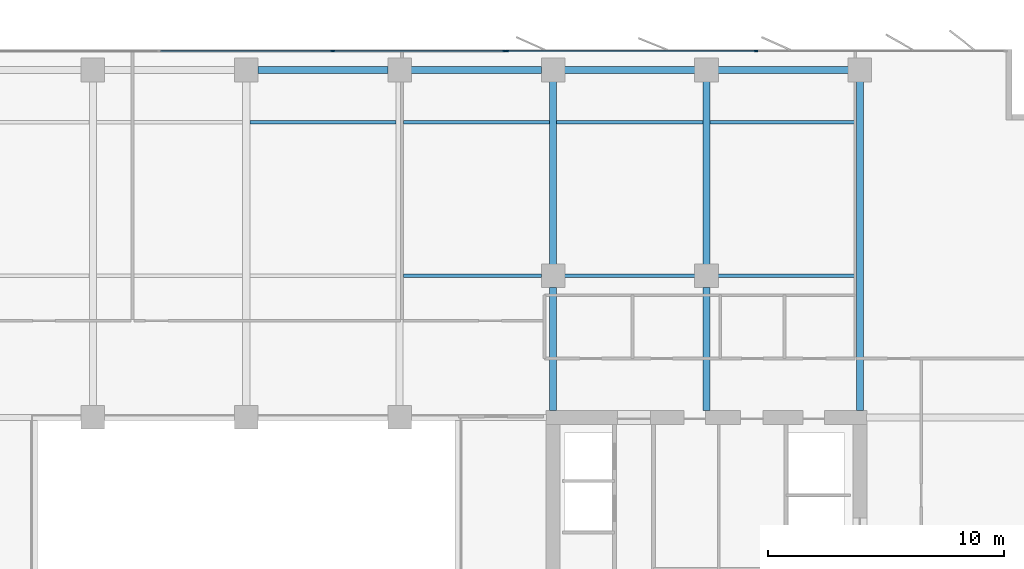
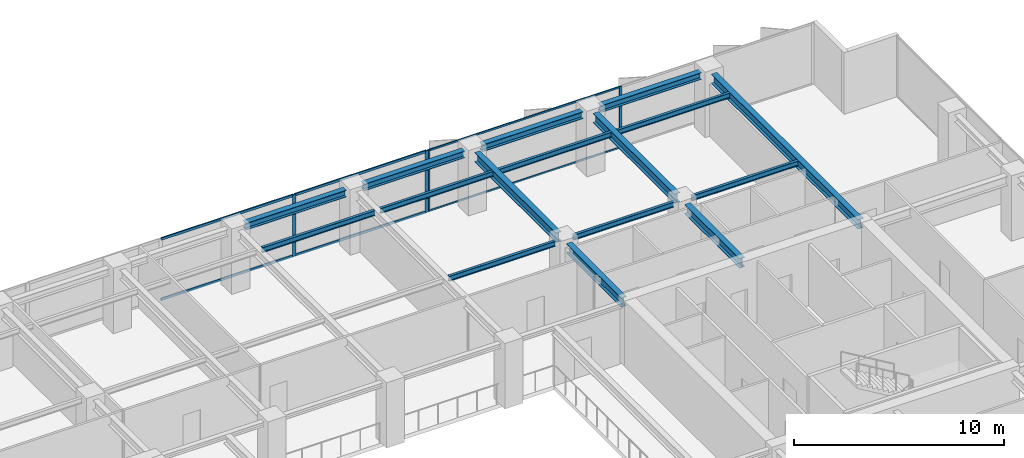
# One storey, part 10 of 22: 16 beams, 10 members, 2 elements without a shape of their own.
"""IFC4 building model written with IfcOpenShell, lengths in metres."""

import ifcopenshell
import ifcopenshell.guid

model = None  # the IFC model being written
_history = None  # IfcOwnerHistory: only IFC2X3 demands one
_inside = {}  # id of a spatial element -> (the spatial element, [elements in it])
_under = {}  # id of a project, library or spatial element -> (it, [spatial elements below it])
_declared = {}  # id of a project -> (the project, [libraries it declares])
_typed = {}  # id of a type object -> (the type object, [elements of that type])
_made_of = {}  # id of a material, layer set ... -> (it, [elements and type objects made of it])


def new_model(schema):
    """Start an empty IFC model of exactly this schema.

    Asked for "IFC4X3", IfcOpenShell would pick the latest addendum, in which some entities
    have other attributes; the version numbers below select the first issue.
    IFC2X3 requires an IfcOwnerHistory on every rooted entity: one is made here for all.
    """
    global model, _history
    if schema == "IFC4X3":
        model = ifcopenshell.file(schema_version=(4, 3, 0, 0))
    else:
        model = ifcopenshell.file(schema=schema)
    _inside.clear()
    _under.clear()
    _declared.clear()
    _typed.clear()
    _made_of.clear()
    _history = None
    if model.schema == "IFC2X3":
        org = make("IfcOrganization", Name="unknown")
        user = make(
            "IfcPersonAndOrganization",
            ThePerson=make("IfcPerson", FamilyName="unknown"),
            TheOrganization=org,
        )
        app = make(
            "IfcApplication",
            ApplicationDeveloper=org,
            Version="unknown",
            ApplicationFullName="unknown",
            ApplicationIdentifier="unknown",
        )
        _history = make(
            "IfcOwnerHistory",
            OwningUser=user,
            OwningApplication=app,
            ChangeAction="ADDED",
            CreationDate=0,
        )
    return model


def make(cls, **values):
    """One entity of the class cls with the attributes given. An attribute that is None is left unset."""
    return model.create_entity(
        cls, **{name: value for name, value in values.items() if value is not None}
    )


def rooted(cls, **values):
    """An entity with a GlobalId (a new one), such as an element, a storey or a relation."""
    return make(cls, GlobalId=ifcopenshell.guid.new(), OwnerHistory=_history, **values)


def si_unit(unit_type, name, prefix=None):
    """IfcSIUnit, for example si_unit("LENGTHUNIT", "METRE", prefix="MILLI")."""
    return make("IfcSIUnit", UnitType=unit_type, Prefix=prefix, Name=name)


def assignment(units):
    """IfcUnitAssignment: the units of a project."""
    return None if units is None else make("IfcUnitAssignment", Units=units)


def point(xyz):
    """IfcCartesianPoint."""
    return None if xyz is None else make("IfcCartesianPoint", Coordinates=xyz)


def direction(xyz):
    """IfcDirection."""
    return None if xyz is None else make("IfcDirection", DirectionRatios=xyz)


def frame(location, z_axis=None, x_axis=None):
    """IfcAxis2Placement3D, a coordinate frame: its origin and axes. An axis left out is left unset."""
    return make(
        "IfcAxis2Placement3D",
        Location=point(location),
        Axis=direction(z_axis),
        RefDirection=direction(x_axis),
    )


def frame_2d(location, x_axis=None):
    """IfcAxis2Placement2D, a coordinate frame in the plane: its origin and x axis."""
    return make(
        "IfcAxis2Placement2D", Location=point(location), RefDirection=direction(x_axis)
    )


def origin():
    """The frame at (0, 0, 0) with its axes left unset."""
    return frame((0.0, 0.0, 0.0))


def origin_2d():
    """The frame at (0, 0) in the plane with its x axis left unset."""
    return frame_2d((0.0, 0.0))


def place(relative_to, where):
    """IfcLocalPlacement: puts the frame where relative to a parent placement (None: the world)."""
    return make(
        "IfcLocalPlacement", PlacementRelTo=relative_to, RelativePlacement=where
    )


def context(
    kind, dimensions, precision=None, world=None, true_north=None, identifier=None
):
    """IfcGeometricRepresentationContext, for example the 3D "Model" context."""
    return make(
        "IfcGeometricRepresentationContext",
        ContextIdentifier=identifier,
        ContextType=kind,
        CoordinateSpaceDimension=dimensions,
        Precision=precision,
        WorldCoordinateSystem=world,
        TrueNorth=true_north,
    )


def subcontext(parent, identifier, kind, view, scale=None):
    """IfcGeometricRepresentationSubContext, for example "Body" below "Model"."""
    return make(
        "IfcGeometricRepresentationSubContext",
        ContextIdentifier=identifier,
        ContextType=kind,
        ParentContext=parent,
        TargetScale=scale,
        TargetView=view,
    )


def project(units=None, contexts=None):
    """IfcProject with its units and contexts."""
    return rooted(
        "IfcProject",
        Name="project",
        RepresentationContexts=contexts,
        UnitsInContext=assignment(units),
    )


def spatial(cls, under=None, at=None, **own):
    """A site, building, storey or space (cls), placed at a placement, below another one or the project."""
    s = rooted(cls, ObjectPlacement=at, **own)
    if under is not None:
        _under.setdefault(under.id(), (under, []))[1].append(s)
    return s


def profile(cls, at=None, kind="AREA", **sizes):
    """A parametric profile (cls). Its sizes go by their IFC names, for example OverallWidth=200.0."""
    return make(cls, ProfileType=kind, Position=at, **sizes)


def rectangle(**sizes):
    """IfcRectangleProfileDef."""
    return profile("IfcRectangleProfileDef", **sizes)


def i_section(**sizes):
    """IfcIShapeProfileDef."""
    return profile("IfcIShapeProfileDef", **sizes)


def extrude(swept, where, along, depth):
    """IfcExtrudedAreaSolid: the profile swept, set in the frame where, extruded along a direction by depth."""
    return make(
        "IfcExtrudedAreaSolid",
        SweptArea=swept,
        Position=where,
        ExtrudedDirection=direction(along),
        Depth=depth,
    )


def shape(context_of_items, identifier, shape_type, items):
    """IfcShapeRepresentation: the items that make up one representation, for example the "Body"."""
    return make(
        "IfcShapeRepresentation",
        ContextOfItems=context_of_items,
        RepresentationIdentifier=identifier,
        RepresentationType=shape_type,
        Items=items,
    )


def material(Name=None, Category=None):
    """IfcMaterial."""
    return make("IfcMaterial", Name=Name, Category=Category)


def layer(
    of_material, thickness, ventilated=None, Name=None, Category=None, Priority=None
):
    """IfcMaterialLayer: one layer of a wall or slab, of a material (None: an air gap)."""
    return make(
        "IfcMaterialLayer",
        Material=of_material,
        LayerThickness=thickness,
        IsVentilated=ventilated,
        Name=Name,
        Category=Category,
        Priority=Priority,
    )


def layer_set(layers, Name=None):
    """IfcMaterialLayerSet."""
    return make("IfcMaterialLayerSet", MaterialLayers=layers, LayerSetName=Name)


def material_profile(
    of_material, cross_section, Name=None, Category=None, Priority=None
):
    """IfcMaterialProfile: a cross section and its material."""
    return make(
        "IfcMaterialProfile",
        Name=Name,
        Material=of_material,
        Profile=cross_section,
        Priority=Priority,
        Category=Category,
    )


def profile_set(profiles, Name=None, composite=None):
    """IfcMaterialProfileSet."""
    return make(
        "IfcMaterialProfileSet",
        Name=Name,
        MaterialProfiles=profiles,
        CompositeProfile=composite,
    )


def made_of(thing, what):
    """Note that an element or type object is made of a material, layer set ...; save() writes the relation."""
    if what is not None:
        _made_of.setdefault(what.id(), (what, []))[1].append(thing)
    return thing


def type_object(cls, material=None, **own):
    """A type object (cls), such as IfcWallType, which elements share."""
    return made_of(rooted(cls, **own), material)


def element(
    cls,
    number,
    at=None,
    inside=None,
    cuts=None,
    type_object=None,
    material=None,
    context=None,
    identifier="Body",
    shape_type=None,
    held_by="IfcProductDefinitionShape",
    body=None,
    shapes=None,
    **own,
):
    """One element of the class cls, such as IfcWall. Its Tag is "e" and its number.

    at: its placement. inside: the storey or other place that contains it. cuts: it is an
    opening in that element (IfcRelVoidsElement). A single representation is given by context,
    identifier, shape_type and body (its items); several are given by shapes. held_by: the class
    of the entity that holds the representations. save() writes the other relations.
    """
    e = rooted(cls, Tag="e%d" % number, ObjectPlacement=at, **own)
    if body is not None:
        shapes = [shape(context, identifier, shape_type, body)]
    if shapes is not None:
        e.Representation = make(held_by, Representations=shapes)
    if inside is not None:
        _inside.setdefault(inside.id(), (inside, []))[1].append(e)
    if cuts is not None:
        rooted(
            "IfcRelVoidsElement", RelatingBuildingElement=cuts, RelatedOpeningElement=e
        )
    if type_object is not None:
        _typed.setdefault(type_object.id(), (type_object, []))[1].append(e)
    return made_of(e, material)


def aggregate(whole, parts):
    """IfcRelAggregates: a whole, such as a stair, and the parts it consists of."""
    return rooted("IfcRelAggregates", RelatingObject=whole, RelatedObjects=parts)


def save(model, path):
    """Write the relations noted so far, then the file.

    IfcRelAggregates (storeys below a building ...), IfcRelContainedInSpatialStructure (elements
    in a storey), IfcRelDefinesByType, IfcRelAssociatesMaterial and IfcRelDeclares: one each for
    every whole, place, type object, material and project.
    """
    for whole, parts in _under.values():
        aggregate(whole, parts)
    for where, things in _inside.values():
        rooted(
            "IfcRelContainedInSpatialStructure",
            RelatedElements=things,
            RelatingStructure=where,
        )
    for kind, things in _typed.values():
        rooted("IfcRelDefinesByType", RelatedObjects=things, RelatingType=kind)
    for what, things in _made_of.values():
        rooted("IfcRelAssociatesMaterial", RelatedObjects=things, RelatingMaterial=what)
    for by, libraries in _declared.values():
        rooted("IfcRelDeclares", RelatingContext=by, RelatedDefinitions=libraries)
    model.write(path)


model = new_model("IFC4")

# Units and contexts
model_context = context("Model", 3, precision=1e-05, world=origin(), true_north=direction((0.0, 1.0)))
body_context = subcontext(model_context, "Body", "Model", "MODEL_VIEW")
ifc_project = project(units=[si_unit("LENGTHUNIT", "METRE"), si_unit("AREAUNIT", "SQUARE_METRE"), si_unit("VOLUMEUNIT", "CUBIC_METRE"), si_unit("PLANEANGLEUNIT", "RADIAN"), si_unit("MASSUNIT", "GRAM", prefix="KILO")], contexts=[model_context])

# Site, building, storey
site_placement = place(None, origin())
site = spatial("IfcSite", under=ifc_project, at=site_placement, CompositionType="ELEMENT")
building_placement = place(site_placement, origin())
building = spatial("IfcBuilding", under=site, at=building_placement, Name="Putna Gate Headquarters", CompositionType="ELEMENT")
storey_placement = place(building_placement, frame((0.0, 0.0, 170.800048828125)))
storey = spatial("IfcBuildingStorey", under=building, at=storey_placement, Name="L42", CompositionType="ELEMENT", Elevation=170.800048828125)

# Beams
ifc_material_1 = material(Name="Steel S355J2", Category="steel")
ifc_material_profile_1 = material_profile(ifc_material_1, i_section(OverallWidth=0.300048828125, OverallDepth=0.550048828125, WebThickness=0.014892578125, FlangeThickness=0.029052734375, at=origin_2d()), Name="Steel S355J2")
ifc_profile_set_1 = profile_set([ifc_material_profile_1], Name="Steel S355J2")
beam_type_1 = type_object("IfcBeamType", Name="BM-GIRD-Z3-HEB550", PredefinedType="USERDEFINED", material=ifc_profile_set_1)
beam_1_placement = place(storey_placement, frame((52.0, 33.284912109375, 3.296875), z_axis=(0.0, 1.0, 0.0), x_axis=(-1.0, 0.0, 0.0)))
element("IfcBeam", 1, at=beam_1_placement, inside=storey, type_object=beam_type_1, Name="L42 North Primary Girder X52-1", ObjectType="GIRDER", PredefinedType="USERDEFINED", context=body_context, shape_type="SweptSolid", body=[
    extrude(i_section(OverallWidth=0.300048828125, OverallDepth=0.550048828125, WebThickness=0.014892578125, FlangeThickness=0.029052734375, at=origin_2d()), origin(), (0.0, 0.0, 1.0), 5.22705078125),
])
beam_2_placement = place(storey_placement, frame((52.0, 39.488037109375, 3.296875), z_axis=(0.0, 1.0, 0.0), x_axis=(-1.0, 0.0, 0.0)))
element("IfcBeam", 2, at=beam_2_placement, inside=storey, type_object=beam_type_1, Name="L42 North Primary Girder X52-2", ObjectType="GIRDER", PredefinedType="USERDEFINED", context=body_context, shape_type="SweptSolid", body=[
    extrude(i_section(OverallWidth=0.300048828125, OverallDepth=0.550048828125, WebThickness=0.014892578125, FlangeThickness=0.029052734375, at=origin_2d()), origin(), (0.0, 0.0, 1.0), 7.743896484375),
])
beam_3_placement = place(storey_placement, frame((58.5, 33.284912109375, 3.296875), z_axis=(0.0, 1.0, 0.0), x_axis=(-1.0, 0.0, 0.0)))
element("IfcBeam", 3, at=beam_3_placement, inside=storey, type_object=beam_type_1, Name="L42 North Primary Girder X58-1", ObjectType="GIRDER", PredefinedType="USERDEFINED", context=body_context, shape_type="SweptSolid", body=[
    extrude(i_section(OverallWidth=0.300048828125, OverallDepth=0.550048828125, WebThickness=0.014892578125, FlangeThickness=0.029052734375, at=origin_2d()), origin(), (0.0, 0.0, 1.0), 5.22705078125),
])
beam_4_placement = place(storey_placement, frame((58.5, 39.488037109375, 3.296875), z_axis=(0.0, 1.0, 0.0), x_axis=(-1.0, 0.0, 0.0)))
element("IfcBeam", 4, at=beam_4_placement, inside=storey, type_object=beam_type_1, Name="L42 North Primary Girder X58-2", ObjectType="GIRDER", PredefinedType="USERDEFINED", context=body_context, shape_type="SweptSolid", body=[
    extrude(i_section(OverallWidth=0.300048828125, OverallDepth=0.550048828125, WebThickness=0.014892578125, FlangeThickness=0.029052734375, at=origin_2d()), origin(), (0.0, 0.0, 1.0), 7.743896484375),
])
beam_5_placement = place(storey_placement, frame((65.0, 33.284912109375, 3.296875), z_axis=(0.0, 1.0, 0.0), x_axis=(-1.0, 0.0, 0.0)))
element("IfcBeam", 5, at=beam_5_placement, inside=storey, type_object=beam_type_1, Name="L42 North Primary Girder X65", ObjectType="GIRDER", PredefinedType="USERDEFINED", context=body_context, shape_type="SweptSolid", body=[
    extrude(i_section(OverallWidth=0.300048828125, OverallDepth=0.550048828125, WebThickness=0.014892578125, FlangeThickness=0.029052734375, at=origin_2d()), origin(), (0.0, 0.0, 1.0), 13.947021484375),
])
ifc_material_profile_2 = material_profile(ifc_material_1, i_section(OverallWidth=0.14990234375, OverallDepth=0.300048828125, WebThickness=0.007080078125, FlangeThickness=0.0107421875, at=origin_2d()), Name="Steel S355J2")
ifc_profile_set_2 = profile_set([ifc_material_profile_2], Name="Steel S355J2")
beam_type_2 = type_object("IfcBeamType", Name="BM-SEC-Z3-IPE300", PredefinedType="JOIST", material=ifc_profile_set_2)
beam_6_placement = place(storey_placement, frame((39.154052734375, 45.5, 3.421875), z_axis=(1.0, 0.0, 0.0), x_axis=(0.0, 1.0, 0.0)))
element("IfcBeam", 6, at=beam_6_placement, inside=storey, type_object=beam_type_2, Name="L42 North Secondary Beam 5", PredefinedType="JOIST", context=body_context, shape_type="SweptSolid", body=[
    extrude(i_section(OverallWidth=0.14990234375, OverallDepth=0.300048828125, WebThickness=0.007080078125, FlangeThickness=0.0107421875, at=origin_2d()), origin(), (0.0, 0.0, 1.0), 6.19189453125),
])
beam_7_placement = place(storey_placement, frame((45.654052734375, 39.0, 3.421875), z_axis=(1.0, 0.0, 0.0), x_axis=(0.0, 1.0, 0.0)))
element("IfcBeam", 7, at=beam_7_placement, inside=storey, type_object=beam_type_2, Name="L42 North Secondary Beam 6", PredefinedType="JOIST", context=body_context, shape_type="SweptSolid", body=[
    extrude(i_section(OverallWidth=0.14990234375, OverallDepth=0.300048828125, WebThickness=0.007080078125, FlangeThickness=0.0107421875, at=origin_2d()), origin(), (0.0, 0.0, 1.0), 5.85791015625),
])
beam_8_placement = place(storey_placement, frame((45.654052734375, 45.5, 3.421875), z_axis=(1.0, 0.0, 0.0), x_axis=(0.0, 1.0, 0.0)))
element("IfcBeam", 8, at=beam_8_placement, inside=storey, type_object=beam_type_2, Name="L42 North Secondary Beam 6", PredefinedType="JOIST", context=body_context, shape_type="SweptSolid", body=[
    extrude(i_section(OverallWidth=0.14990234375, OverallDepth=0.300048828125, WebThickness=0.007080078125, FlangeThickness=0.0107421875, at=origin_2d()), origin(), (0.0, 0.0, 1.0), 6.19189453125),
])
beam_9_placement = place(storey_placement, frame((52.488037109375, 39.0, 3.421875), z_axis=(1.0, 0.0, 0.0), x_axis=(0.0, 1.0, 0.0)))
element("IfcBeam", 9, at=beam_9_placement, inside=storey, type_object=beam_type_2, Name="L42 North Secondary Beam 7", PredefinedType="JOIST", context=body_context, shape_type="SweptSolid", body=[
    extrude(i_section(OverallWidth=0.14990234375, OverallDepth=0.300048828125, WebThickness=0.007080078125, FlangeThickness=0.0107421875, at=origin_2d()), origin(), (0.0, 0.0, 1.0), 5.52392578125),
])
beam_10_placement = place(storey_placement, frame((52.154052734375, 45.5, 3.421875), z_axis=(1.0, 0.0, 0.0), x_axis=(0.0, 1.0, 0.0)))
element("IfcBeam", 10, at=beam_10_placement, inside=storey, type_object=beam_type_2, Name="L42 North Secondary Beam 7", PredefinedType="JOIST", context=body_context, shape_type="SweptSolid", body=[
    extrude(i_section(OverallWidth=0.14990234375, OverallDepth=0.300048828125, WebThickness=0.007080078125, FlangeThickness=0.0107421875, at=origin_2d()), origin(), (0.0, 0.0, 1.0), 6.19189453125),
])
beam_11_placement = place(storey_placement, frame((58.988037109375, 39.0, 3.421875), z_axis=(1.0, 0.0, 0.0), x_axis=(0.0, 1.0, 0.0)))
element("IfcBeam", 11, at=beam_11_placement, inside=storey, type_object=beam_type_2, Name="L42 North Secondary Beam 8", PredefinedType="JOIST", context=body_context, shape_type="SweptSolid", body=[
    extrude(i_section(OverallWidth=0.14990234375, OverallDepth=0.300048828125, WebThickness=0.007080078125, FlangeThickness=0.0107421875, at=origin_2d()), origin(), (0.0, 0.0, 1.0), 5.85791015625),
])
beam_12_placement = place(storey_placement, frame((58.654052734375, 45.5, 3.421875), z_axis=(1.0, 0.0, 0.0), x_axis=(0.0, 1.0, 0.0)))
element("IfcBeam", 12, at=beam_12_placement, inside=storey, type_object=beam_type_2, Name="L42 North Secondary Beam 8", PredefinedType="JOIST", context=body_context, shape_type="SweptSolid", body=[
    extrude(i_section(OverallWidth=0.14990234375, OverallDepth=0.300048828125, WebThickness=0.007080078125, FlangeThickness=0.0107421875, at=origin_2d()), origin(), (0.0, 0.0, 1.0), 6.19189453125),
])
ifc_material_profile_3 = material_profile(ifc_material_1, i_section(OverallWidth=0.300048828125, OverallDepth=0.39990234375, WebThickness=0.013427734375, FlangeThickness=0.02392578125, at=origin_2d()), Name="Steel S355J2")
ifc_profile_set_3 = profile_set([ifc_material_profile_3], Name="Steel S355J2")
beam_type_3 = type_object("IfcBeamType", Name="BM-SPAN-Z3-HEB400", PredefinedType="SPANDREL", material=ifc_profile_set_3)
for number, where, z_axis, x_axis, name in (
    (13, (39.488037109375, 47.719970703125, 3.3720703125), (1.0, 0.0, 0.0), (0.0, 1.0, 0.0), "L42 N Perimeter Spandrel 5"),
    (14, (45.988037109375, 47.719970703125, 3.3720703125), (1.0, 0.0, 0.0), (0.0, 1.0, 0.0), "L42 N Perimeter Spandrel 6"),
    (15, (52.488037109375, 47.719970703125, 3.3720703125), (1.0, 0.0, 0.0), (0.0, 1.0, 0.0), "L42 N Perimeter Spandrel 7"),
    (16, (58.988037109375, 47.719970703125, 3.3720703125), (1.0, 0.0, 0.0), (0.0, 1.0, 0.0), "L42 N Perimeter Spandrel 8"),
):
    element("IfcBeam", number, at=place(storey_placement, frame(where, z_axis=z_axis, x_axis=x_axis)), inside=storey, type_object=beam_type_3, Name=name, PredefinedType="SPANDREL", context=body_context, shape_type="SweptSolid", body=[
        extrude(i_section(OverallWidth=0.300048828125, OverallDepth=0.39990234375, WebThickness=0.013427734375, FlangeThickness=0.02392578125, at=origin_2d()), origin(), (0.0, 0.0, 1.0), 5.52392578125),
    ])

# Curtain wall, members
ifc_material_2 = material(Name="Anodised bronze aluminium curtain wall", Category="aluminium")
ifc_layer_1 = layer(ifc_material_2, 0.159912109375)
ifc_layer_set_1 = layer_set([ifc_layer_1], Name="Anodised bronze aluminium curtain wall")
curtain_wall_type_1 = type_object("IfcCurtainWallType", Name="CW-SYS-Z3", PredefinedType="USERDEFINED", material=ifc_layer_set_1)
curtain_wall_1_placement = place(storey_placement, origin())
curtain_wall_1 = element("IfcCurtainWall", 17, at=curtain_wall_1_placement, inside=storey, type_object=curtain_wall_type_1, Name="L42 North East Curtain Wall", ObjectType="STICK CURTAIN WALL", PredefinedType="USERDEFINED")
ifc_material_3 = material(Name="Anodised bronze aluminium EN AW-6060", Category="aluminium")
ifc_material_profile_4 = material_profile(ifc_material_3, rectangle(XDim=0.06494140625, YDim=0.159912109375, at=origin_2d()), Name="Anodised bronze aluminium EN AW-6060")
ifc_profile_set_4 = profile_set([ifc_material_profile_4], Name="Anodised bronze aluminium EN AW-6060")
member_type_1 = type_object("IfcMemberType", Name="MULL-CWM-3", PredefinedType="MULLION", material=ifc_profile_set_4)
member_1_placement = place(storey_placement, frame((50.032470703125, 48.52001953125, 0.0), z_axis=(0.0, 0.0, 1.0), x_axis=(0.0, 1.0, 0.0)))
member_1 = element("IfcMember", 18, at=member_1_placement, type_object=member_type_1, Name="CWS-3 mullion 1", PredefinedType="MULLION", context=body_context, shape_type="SweptSolid", body=[
    extrude(rectangle(XDim=0.06494140625, YDim=0.159912109375, at=origin_2d()), origin(), (0.0, 0.0, 1.0), 3.572021484375),
])
member_2_placement = place(storey_placement, frame((60.60009765625, 48.52001953125, 0.0), z_axis=(0.0, 0.0, 1.0), x_axis=(0.0, 1.0, 0.0)))
member_2 = element("IfcMember", 19, at=member_2_placement, type_object=member_type_1, Name="CWS-3 mullion 2", PredefinedType="MULLION", context=body_context, shape_type="SweptSolid", body=[
    extrude(rectangle(XDim=0.06494140625, YDim=0.159912109375, at=origin_2d()), origin(), (0.0, 0.0, 1.0), 3.572021484375),
])

ifc_layer_2 = layer(ifc_material_2, 0.179931640625)
ifc_layer_set_2 = layer_set([ifc_layer_2], Name="Anodised bronze aluminium curtain wall")
curtain_wall_type_2 = type_object("IfcCurtainWallType", Name="CW-SYS-ATR", PredefinedType="USERDEFINED", material=ifc_layer_set_2)
curtain_wall_2_placement = place(storey_placement, origin())
curtain_wall_2 = element("IfcCurtainWall", 20, at=curtain_wall_2_placement, inside=storey, type_object=curtain_wall_type_2, Name="L42 North Atrium Clear Glazing", ObjectType="ATRIUM GLAZING", PredefinedType="USERDEFINED")
ifc_material_profile_5 = material_profile(ifc_material_3, rectangle(XDim=0.070068359375, YDim=0.179931640625, at=origin_2d()), Name="Anodised bronze aluminium EN AW-6060")
ifc_profile_set_5 = profile_set([ifc_material_profile_5], Name="Anodised bronze aluminium EN AW-6060")
member_type_2 = type_object("IfcMemberType", Name="MULL-CWM-AT", PredefinedType="MULLION", material=ifc_profile_set_5)
member_3_placement = place(storey_placement, frame((42.666748046875, 48.52001953125, 0.0), z_axis=(0.0, 0.0, 1.0), x_axis=(0.0, 1.0, 0.0)))
member_3 = element("IfcMember", 21, at=member_3_placement, type_object=member_type_2, Name="CWS-AT mullion 3", PredefinedType="MULLION", context=body_context, shape_type="SweptSolid", body=[
    extrude(rectangle(XDim=0.070068359375, YDim=0.179931640625, at=origin_2d()), origin(), (0.0, 0.0, 1.0), 3.572021484375),
])
member_4_placement = place(storey_placement, frame((49.965087890625, 48.52001953125, 0.0), z_axis=(0.0, 0.0, 1.0), x_axis=(0.0, 1.0, 0.0)))
member_4 = element("IfcMember", 22, at=member_4_placement, type_object=member_type_2, Name="CWS-AT mullion 4", PredefinedType="MULLION", context=body_context, shape_type="SweptSolid", body=[
    extrude(rectangle(XDim=0.070068359375, YDim=0.179931640625, at=origin_2d()), origin(), (0.0, 0.0, 1.0), 3.572021484375),
])

# Member
ifc_material_profile_6 = material_profile(ifc_material_3, rectangle(XDim=0.06005859375, YDim=0.10009765625, at=origin_2d()), Name="Anodised bronze aluminium EN AW-6060")
ifc_profile_set_6 = profile_set([ifc_material_profile_6], Name="Anodised bronze aluminium EN AW-6060")
member_type_3 = type_object("IfcMemberType", Name="TRAN-CWT-3", PredefinedType="USERDEFINED", material=ifc_profile_set_6)
member_5_placement = place(storey_placement, frame((50.06494140625, 48.52001953125, 0.030029296875), z_axis=(1.0, 0.0, 0.0), x_axis=(0.0, 1.0, 0.0)))
member_5 = element("IfcMember", 23, at=member_5_placement, type_object=member_type_3, Name="CWS-3 transom 1.1", ObjectType="TRANSOM", PredefinedType="USERDEFINED", context=body_context, shape_type="SweptSolid", body=[
    extrude(rectangle(XDim=0.06005859375, YDim=0.10009765625, at=origin_2d()), origin(), (0.0, 0.0, 1.0), 10.50244140625),
])

member_6_placement = place(storey_placement, frame((50.06494140625, 48.52001953125, 3.5419921875), z_axis=(1.0, 0.0, 0.0), x_axis=(0.0, 1.0, 0.0)))
member_6 = element("IfcMember", 24, at=member_6_placement, type_object=member_type_3, Name="CWS-3 transom 1.2", ObjectType="TRANSOM", PredefinedType="USERDEFINED", context=body_context, shape_type="SweptSolid", body=[
    extrude(rectangle(XDim=0.06005859375, YDim=0.10009765625, at=origin_2d()), origin(), (0.0, 0.0, 1.0), 10.50244140625),
])

aggregate(curtain_wall_1, [member_1, member_2, member_5, member_6])

ifc_material_profile_7 = material_profile(ifc_material_3, rectangle(XDim=0.070068359375, YDim=0.139892578125, at=origin_2d()), Name="Anodised bronze aluminium EN AW-6060")
ifc_profile_set_7 = profile_set([ifc_material_profile_7], Name="Anodised bronze aluminium EN AW-6060")
member_type_4 = type_object("IfcMemberType", Name="TRAN-CWT-AT", PredefinedType="USERDEFINED", material=ifc_profile_set_7)
member_7_placement = place(storey_placement, frame((35.368408203125, 48.52001953125, 0.034912109375), z_axis=(1.0, 0.0, 0.0), x_axis=(0.0, 1.0, 0.0)))
member_7 = element("IfcMember", 25, at=member_7_placement, type_object=member_type_4, Name="CWS-AT transom 2.1", ObjectType="TRANSOM", PredefinedType="USERDEFINED", context=body_context, shape_type="SweptSolid", body=[
    extrude(rectangle(XDim=0.070068359375, YDim=0.139892578125, at=origin_2d()), origin(), (0.0, 0.0, 1.0), 7.26318359375),
])

member_8_placement = place(storey_placement, frame((35.368408203125, 48.52001953125, 3.536865234375), z_axis=(1.0, 0.0, 0.0), x_axis=(0.0, 1.0, 0.0)))
member_8 = element("IfcMember", 26, at=member_8_placement, type_object=member_type_4, Name="CWS-AT transom 2.2", ObjectType="TRANSOM", PredefinedType="USERDEFINED", context=body_context, shape_type="SweptSolid", body=[
    extrude(rectangle(XDim=0.070068359375, YDim=0.139892578125, at=origin_2d()), origin(), (0.0, 0.0, 1.0), 7.26318359375),
])

member_9_placement = place(storey_placement, frame((42.70166015625, 48.52001953125, 0.034912109375), z_axis=(1.0, 0.0, 0.0), x_axis=(0.0, 1.0, 0.0)))
member_9 = element("IfcMember", 27, at=member_9_placement, type_object=member_type_4, Name="CWS-AT transom 3.1", ObjectType="TRANSOM", PredefinedType="USERDEFINED", context=body_context, shape_type="SweptSolid", body=[
    extrude(rectangle(XDim=0.070068359375, YDim=0.139892578125, at=origin_2d()), origin(), (0.0, 0.0, 1.0), 7.228271484375),
])

member_10_placement = place(storey_placement, frame((42.70166015625, 48.52001953125, 3.536865234375), z_axis=(1.0, 0.0, 0.0), x_axis=(0.0, 1.0, 0.0)))
member_10 = element("IfcMember", 28, at=member_10_placement, type_object=member_type_4, Name="CWS-AT transom 3.2", ObjectType="TRANSOM", PredefinedType="USERDEFINED", context=body_context, shape_type="SweptSolid", body=[
    extrude(rectangle(XDim=0.070068359375, YDim=0.139892578125, at=origin_2d()), origin(), (0.0, 0.0, 1.0), 7.228271484375),
])

aggregate(curtain_wall_2, [member_3, member_4, member_7, member_8, member_9, member_10])

save(model, "model.ifc")
